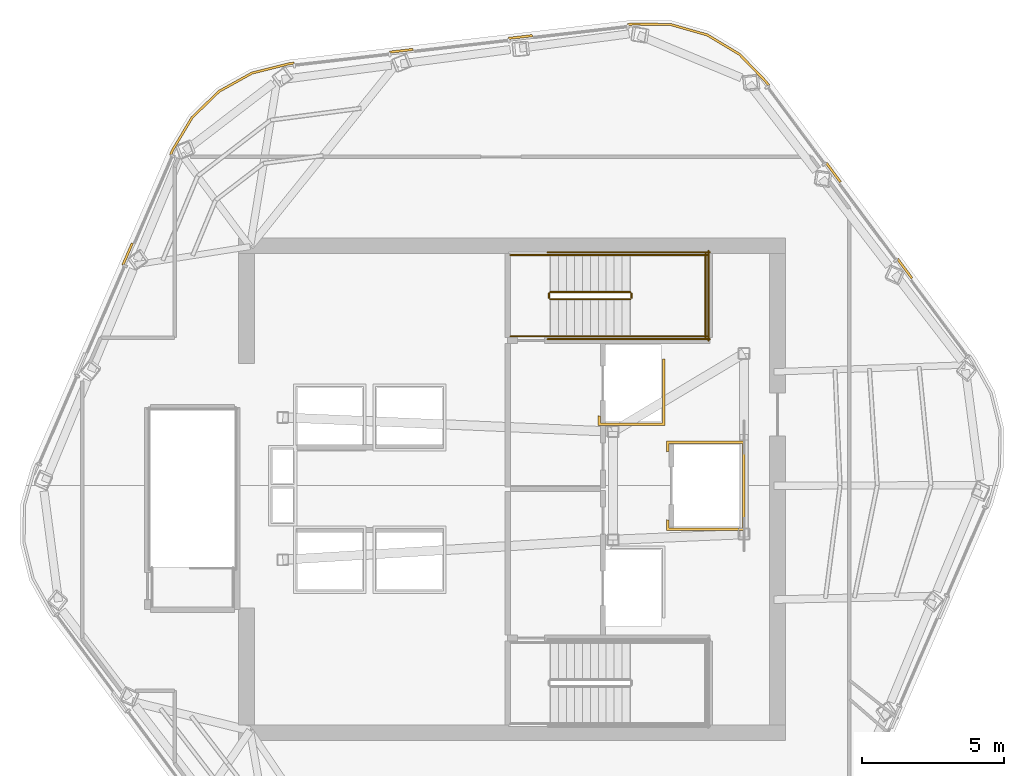
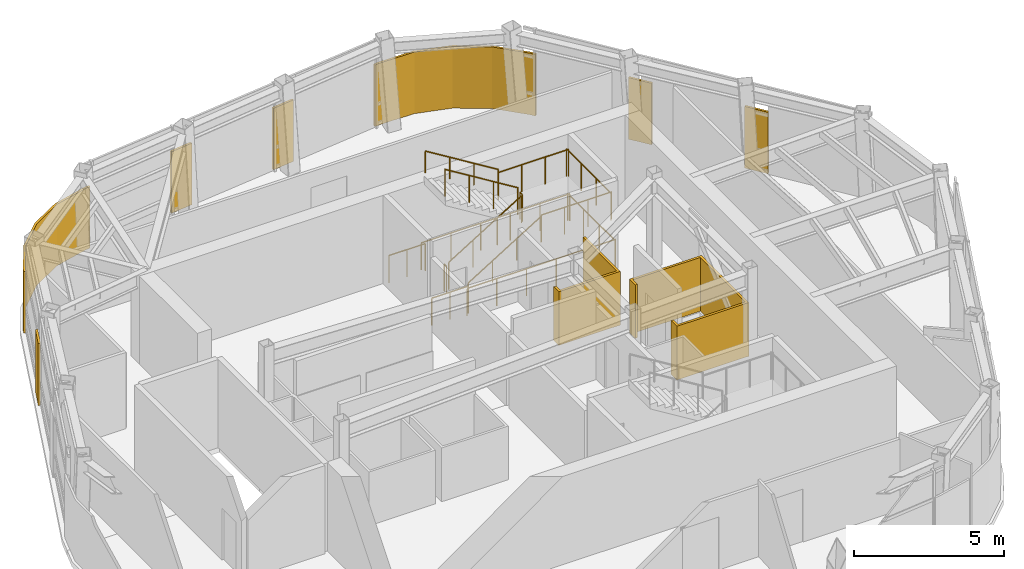
# One storey, part 10 of 11: 14 railings, 9 coverings.
"""IFC4 building model written with IfcOpenShell, lengths in metres."""

from ifc_helpers import new_model, si_unit, direction, frame, origin, origin_2d, place, context, subcontext, project, spatial, polyline, circle, outline, extrude, material, layer, layer_set, type_object, element, save


model = new_model("IFC4")

# Units and contexts
model_context = context("Model", 3, precision=1e-05, world=origin(), true_north=direction((0.0, 1.0)))
body_context = subcontext(model_context, "Body", "Model", "MODEL_VIEW")
ifc_project = project(units=[si_unit("LENGTHUNIT", "METRE"), si_unit("AREAUNIT", "SQUARE_METRE"), si_unit("VOLUMEUNIT", "CUBIC_METRE"), si_unit("PLANEANGLEUNIT", "RADIAN"), si_unit("MASSUNIT", "GRAM", prefix="KILO")], contexts=[model_context])

# Site, building, storey
site_placement = place(None, origin())
site = spatial("IfcSite", under=ifc_project, at=site_placement, CompositionType="ELEMENT")
building_placement = place(site_placement, origin())
building = spatial("IfcBuilding", under=site, at=building_placement, Name="Valkerne Bourse Tower", CompositionType="ELEMENT")
storey_placement = place(building_placement, frame((0.0, 0.0, 311.60009765625)))
storey = spatial("IfcBuildingStorey", under=building, at=storey_placement, Name="L79", CompositionType="ELEMENT", Elevation=311.60009765625)

# Coverings
ifc_material_1 = material(Name="Bronze Anodised Aluminium AA 6063-T6", Category="aluminium")
ifc_layer_1 = layer(ifc_material_1, 0.06005859375)
ifc_layer_set_1 = layer_set([ifc_layer_1], Name="Bronze Anodised Aluminium AA 6063-T6")
covering_type_1 = type_object("IfcCoveringType", Name="COV-CRN-ALUM", PredefinedType="CLADDING", material=ifc_layer_set_1)
covering_1_placement = place(storey_placement, origin())
element("IfcCovering", 1, at=covering_1_placement, inside=storey, type_object=covering_type_1, Name="L79 Wind-Shaped Corner Aluminium Cladding 12", PredefinedType="CLADDING", context=body_context, shape_type="SweptSolid", body=[
    extrude(outline(polyline([(33.4296875, 35.5380859375), (33.503173828125, 35.506591796875), (33.16943359375, 34.735595703125), (33.095947265625, 34.767333984375), (33.4296875, 35.5380859375)])), origin(), (0.0, 0.0, 1.0), 2.5),
])
covering_2_placement = place(storey_placement, origin())
element("IfcCovering", 2, at=covering_2_placement, inside=storey, type_object=covering_type_1, Name="L79 Wind-Shaped Corner Aluminium Cladding 13", PredefinedType="CLADDING", context=body_context, shape_type="SweptSolid", body=[
    extrude(outline(polyline([(34.845703125, 38.810302734375), (35.532470703125, 39.958251953125), (36.48828125, 40.884521484375), (37.651611328125, 41.53173828125), (38.948974609375, 41.857666015625), (39.14111328125, 41.8798828125), (39.150146484375, 41.800537109375), (38.96337890625, 41.77880859375), (37.681396484375, 41.456787109375), (36.53662109375, 40.819580078125), (35.595703125, 39.907958984375), (34.9169921875, 38.773681640625), (34.84228515625, 38.601318359375), (34.768798828125, 38.6328125), (34.845703125, 38.810302734375)])), origin(), (0.0, 0.0, 1.0), 2.5),
])
covering_3_placement = place(storey_placement, origin())
element("IfcCovering", 3, at=covering_3_placement, inside=storey, type_object=covering_type_1, Name="L79 Wind-Shaped Corner Aluminium Cladding 14", PredefinedType="CLADDING", context=body_context, shape_type="SweptSolid", body=[
    extrude(outline(polyline([(43.3251953125, 42.364013671875), (43.334228515625, 42.28466796875), (42.5, 42.18798828125), (42.49072265625, 42.267578125), (43.3251953125, 42.364013671875)])), origin(), (0.0, 0.0, 1.0), 2.5),
])
covering_4_placement = place(storey_placement, origin())
element("IfcCovering", 4, at=covering_4_placement, inside=storey, type_object=covering_type_1, Name="L79 Wind-Shaped Corner Aluminium Cladding 15", PredefinedType="CLADDING", context=body_context, shape_type="SweptSolid", body=[
    extrude(outline(polyline([(47.509033203125, 42.84814453125), (47.518310546875, 42.768798828125), (46.683837890625, 42.672119140625), (46.6748046875, 42.751708984375), (47.509033203125, 42.84814453125)])), origin(), (0.0, 0.0, 1.0), 2.5),
])
covering_5_placement = place(storey_placement, origin())
element("IfcCovering", 5, at=covering_5_placement, inside=storey, type_object=covering_type_1, Name="L79 Wind-Shaped Corner Aluminium Cladding 16", PredefinedType="CLADDING", context=body_context, shape_type="SweptSolid", body=[
    extrude(outline(polyline([(51.05078125, 43.258056640625), (52.388427734375, 43.23681640625), (53.66845703125, 42.872314453125), (54.810791015625, 42.188720703125), (55.74169921875, 41.22802734375), (55.85693359375, 41.072998046875), (55.792724609375, 41.025146484375), (55.6806640625, 41.176025390625), (54.760498046875, 42.12548828125), (53.636474609375, 42.79833984375), (52.376708984375, 43.156982421875), (51.0546875, 43.177978515625), (50.867919921875, 43.15625), (50.85888671875, 43.23583984375), (51.05078125, 43.258056640625)])), origin(), (0.0, 0.0, 1.0), 2.5),
])
covering_6_placement = place(storey_placement, origin())
element("IfcCovering", 6, at=covering_6_placement, inside=storey, type_object=covering_type_1, Name="L79 Wind-Shaped Corner Aluminium Cladding 17", PredefinedType="CLADDING", context=body_context, shape_type="SweptSolid", body=[
    extrude(outline(polyline([(58.368408203125, 37.69140625), (58.303955078125, 37.643798828125), (57.80322265625, 38.318115234375), (57.867431640625, 38.36572265625), (58.368408203125, 37.69140625)])), origin(), (0.0, 0.0, 1.0), 2.5),
])
covering_7_placement = place(storey_placement, origin())
element("IfcCovering", 7, at=covering_7_placement, inside=storey, type_object=covering_type_1, Name="L79 Wind-Shaped Corner Aluminium Cladding 18", PredefinedType="CLADDING", context=body_context, shape_type="SweptSolid", body=[
    extrude(outline(polyline([(60.879638671875, 34.309814453125), (60.8154296875, 34.26220703125), (60.314453125, 34.9365234375), (60.378662109375, 34.984375), (60.879638671875, 34.309814453125)])), origin(), (0.0, 0.0, 1.0), 2.5),
])
ifc_material_2 = material(Name="Gypsum Shaftwall Liner Board", Category="gypsum")
ifc_layer_2 = layer(ifc_material_2, 0.080078125)
ifc_layer_set_2 = layer_set([ifc_layer_2], Name="Gypsum Shaftwall Liner Board")
covering_type_2 = type_object("IfcCoveringType", Name="COV-SHF-CLAD", PredefinedType="CLADDING", material=ifc_layer_set_2)
covering_8_placement = place(storey_placement, origin())
element("IfcCovering", 8, at=covering_8_placement, inside=storey, type_object=covering_type_2, Name="L79 Hoistway & Riser Shaftwall Liner 06", PredefinedType="CLADDING", context=body_context, shape_type="SweptSolid", body=[
    extrude(outline(polyline([(54.97998046875, 28.580078125), (54.97998046875, 25.419921875), (52.219970703125, 25.419921875), (52.219970703125, 25.81787109375), (52.227783203125, 25.814208984375), (52.269287109375, 25.79931640625), (52.31005859375, 25.789306640625), (52.31005859375, 25.510009765625), (54.889892578125, 25.510009765625), (54.889892578125, 28.489990234375), (52.31005859375, 28.489990234375), (52.31005859375, 28.210693359375), (52.269287109375, 28.20068359375), (52.227783203125, 28.185791015625), (52.219970703125, 28.18212890625), (52.219970703125, 28.580078125), (54.97998046875, 28.580078125)])), origin(), (0.0, 0.0, 1.0), 2.179931640625),
])
covering_9_placement = place(storey_placement, origin())
element("IfcCovering", 9, at=covering_9_placement, inside=storey, type_object=covering_type_2, Name="L79 Hoistway & Riser Shaftwall Liner 08", PredefinedType="CLADDING", context=body_context, shape_type="SweptSolid", body=[
    extrude(outline(polyline([(49.820068359375, 29.1201171875), (49.820068359375, 29.468017578125), (49.827880859375, 29.46435546875), (49.869384765625, 29.449462890625), (49.909912109375, 29.439208984375), (49.909912109375, 29.2099609375), (52.090087890625, 29.2099609375), (52.090087890625, 31.449951171875), (52.179931640625, 31.449951171875), (52.179931640625, 29.1201171875), (49.820068359375, 29.1201171875)])), origin(), (0.0, 0.0, 1.0), 2.179931640625),
])

# Railings
ifc_material_3 = material(Name="Galvanised Painted Steel", Category="steel")
railing_type_1 = type_object("IfcRailingType", Name="RLG-ST-GUARD-1120", PredefinedType="GUARDRAIL", material=ifc_material_3)
railing_1_placement = place(storey_placement, frame((48.14990234375, 33.550048828125, 0.172607421875)))
element("IfcRailing", 10, at=railing_1_placement, inside=storey, type_object=railing_type_1, Name="L79 ST-2 stair guard 1", PredefinedType="GUARDRAIL", context=body_context, shape_type="SweptSolid", body=[
    extrude(circle(Radius=0.02392578125, at=origin_2d()), frame((0.0, 0.0, 1.09619140625), z_axis=(0.851089632645, 0.0, 0.525020415988), x_axis=(0.0, 1.0, 0.0)), (0.0, 0.0, 1.0), 3.2900390625),
    extrude(circle(Radius=0.02099609375, at=origin_2d()), origin(), (0.0, 0.0, 1.0), 1.072021484375),
    extrude(circle(Radius=0.02099609375, at=origin_2d()), frame((0.933349609375, 0.0, 0.57568359375)), (0.0, 0.0, 1.0), 1.072021484375),
    extrude(circle(Radius=0.02099609375, at=origin_2d()), frame((1.86669921875, 0.0, 1.151611328125)), (0.0, 0.0, 1.0), 1.072021484375),
    extrude(circle(Radius=0.02099609375, at=origin_2d()), frame((2.800048828125, 0.0, 1.727294921875)), (0.0, 0.0, 1.0), 1.072021484375),
])
railing_2_placement = place(storey_placement, frame((51.0, 33.60009765625, 1.89990234375)))
element("IfcRailing", 11, at=railing_2_placement, inside=storey, type_object=railing_type_1, Name="L79 ST-2 stair guard 2", PredefinedType="GUARDRAIL", context=body_context, shape_type="SweptSolid", body=[
    extrude(circle(Radius=0.02392578125, at=origin_2d()), frame((0.0, 0.0, 1.09619140625), z_axis=(0.0, 1.0, 0.0), x_axis=(-1.0, 0.0, 0.0)), (0.0, 0.0, 1.0), 0.14990234375),
    extrude(circle(Radius=0.02099609375, at=origin_2d()), origin(), (0.0, 0.0, 1.0), 1.072021484375),
    extrude(circle(Radius=0.02099609375, at=origin_2d()), frame((0.0, 0.14990234375, 0.0)), (0.0, 0.0, 1.0), 1.072021484375),
])
for number, where, name in (
    (12, (50.949951171875, 32.25, 1.89990234375), "L79 ST-2 stair guard 3"),
    (13, (50.949951171875, 35.10009765625, 1.89990234375), "L79 ST-2 stair guard 4"),
):
    element("IfcRailing", number, at=place(storey_placement, frame(where)), inside=storey, type_object=railing_type_1, Name=name, PredefinedType="GUARDRAIL", context=body_context, shape_type="SweptSolid", body=[
        extrude(circle(Radius=0.02392578125, at=origin_2d()), frame((0.0, 0.0, 1.09619140625), z_axis=(1.0, 0.0, 0.0), x_axis=(0.0, 1.0, 0.0)), (0.0, 0.0, 1.0), 2.699951171875),
        extrude(circle(Radius=0.02099609375, at=origin_2d()), origin(), (0.0, 0.0, 1.0), 1.072021484375),
        extrude(circle(Radius=0.02099609375, at=origin_2d()), frame((0.89990234375, 0.0, 0.0)), (0.0, 0.0, 1.0), 1.072021484375),
        extrude(circle(Radius=0.02099609375, at=origin_2d()), frame((1.800048828125, 0.0, 0.0)), (0.0, 0.0, 1.0), 1.072021484375),
        extrude(circle(Radius=0.02099609375, at=origin_2d()), frame((2.699951171875, 0.0, 0.0)), (0.0, 0.0, 1.0), 1.072021484375),
    ])
railing_3_placement = place(storey_placement, frame((53.60009765625, 32.199951171875, 1.89990234375)))
element("IfcRailing", 14, at=railing_3_placement, inside=storey, type_object=railing_type_1, Name="L79 ST-2 stair guard 5", PredefinedType="GUARDRAIL", context=body_context, shape_type="SweptSolid", body=[
    extrude(circle(Radius=0.02392578125, at=origin_2d()), frame((0.0, 0.0, 1.09619140625), z_axis=(0.0, 1.0, 0.0), x_axis=(-1.0, 0.0, 0.0)), (0.0, 0.0, 1.0), 2.949951171875),
    extrude(circle(Radius=0.02099609375, at=origin_2d()), origin(), (0.0, 0.0, 1.0), 1.072021484375),
    extrude(circle(Radius=0.02099609375, at=origin_2d()), frame((0.0, 0.9833984375, 0.0)), (0.0, 0.0, 1.0), 1.072021484375),
    extrude(circle(Radius=0.02099609375, at=origin_2d()), frame((0.0, 1.966552734375, 0.0)), (0.0, 0.0, 1.0), 1.072021484375),
    extrude(circle(Radius=0.02099609375, at=origin_2d()), frame((0.0, 2.949951171875, 0.0)), (0.0, 0.0, 1.0), 1.072021484375),
])
railing_4_placement = place(storey_placement, frame((50.949951171875, 33.800048828125, 2.072509765625)))
element("IfcRailing", 15, at=railing_4_placement, inside=storey, type_object=railing_type_1, Name="L79 ST-2 stair guard 6", PredefinedType="GUARDRAIL", context=body_context, shape_type="SweptSolid", body=[
    extrude(circle(Radius=0.02392578125, at=origin_2d()), frame((0.0, 0.0, 1.09619140625), z_axis=(-0.851089632645, 0.0, 0.525020415988), x_axis=(0.0, -1.0, 0.0)), (0.0, 0.0, 1.0), 3.2900390625),
    extrude(circle(Radius=0.02099609375, at=origin_2d()), origin(), (0.0, 0.0, 1.0), 1.072021484375),
    extrude(circle(Radius=0.02099609375, at=origin_2d()), frame((-0.933349609375, 0.0, 0.57568359375)), (0.0, 0.0, 1.0), 1.072021484375),
    extrude(circle(Radius=0.02099609375, at=origin_2d()), frame((-1.86669921875, 0.0, 1.151611328125)), (0.0, 0.0, 1.0), 1.072021484375),
    extrude(circle(Radius=0.02099609375, at=origin_2d()), frame((-2.800048828125, 0.0, 1.727294921875)), (0.0, 0.0, 1.0), 1.072021484375),
])
railing_5_placement = place(storey_placement, frame((48.10009765625, 33.60009765625, 0.0)))
element("IfcRailing", 16, at=railing_5_placement, inside=storey, type_object=railing_type_1, Name="L79 ST-2 stair guard 7", PredefinedType="GUARDRAIL", context=body_context, shape_type="SweptSolid", body=[
    extrude(circle(Radius=0.02392578125, at=origin_2d()), frame((0.0, 0.0, 1.09619140625), z_axis=(0.0, 1.0, 0.0), x_axis=(-1.0, 0.0, 0.0)), (0.0, 0.0, 1.0), 0.14990234375),
    extrude(circle(Radius=0.02099609375, at=origin_2d()), origin(), (0.0, 0.0, 1.0), 1.072021484375),
    extrude(circle(Radius=0.02099609375, at=origin_2d()), frame((0.0, 0.14990234375, 0.0)), (0.0, 0.0, 1.0), 1.072021484375),
])
for number, where, name in (
    (17, (46.75, 32.25, 0.0), "L79 ST-2 stair guard 8"),
    (18, (46.75, 35.10009765625, 0.0), "L79 ST-2 stair guard 9"),
):
    element("IfcRailing", number, at=place(storey_placement, frame(where)), inside=storey, type_object=railing_type_1, Name=name, PredefinedType="GUARDRAIL", context=body_context, shape_type="SweptSolid", body=[
        extrude(circle(Radius=0.02392578125, at=origin_2d()), frame((0.0, 0.0, 1.09619140625), z_axis=(1.0, 0.0, 0.0), x_axis=(0.0, 1.0, 0.0)), (0.0, 0.0, 1.0), 1.39990234375),
        extrude(circle(Radius=0.02099609375, at=origin_2d()), origin(), (0.0, 0.0, 1.0), 1.072021484375),
        extrude(circle(Radius=0.02099609375, at=origin_2d()), frame((0.699951171875, 0.0, 0.0)), (0.0, 0.0, 1.0), 1.072021484375),
        extrude(circle(Radius=0.02099609375, at=origin_2d()), frame((1.39990234375, 0.0, 0.0)), (0.0, 0.0, 1.0), 1.072021484375),
    ])
for number, where, name in (
    (19, (48.050048828125, 32.14990234375, 0.0), "L79 ST-2 stair guard 10"),
    (20, (48.050048828125, 35.199951171875, 0.0), "L79 ST-2 stair guard 11"),
):
    element("IfcRailing", number, at=place(storey_placement, frame(where)), inside=storey, type_object=railing_type_1, Name=name, PredefinedType="GUARDRAIL", context=body_context, shape_type="SweptSolid", body=[
        extrude(circle(Radius=0.02392578125, at=origin_2d()), frame((0.0, 0.0, 1.09619140625), z_axis=(1.0, 0.0, 0.0), x_axis=(0.0, 1.0, 0.0)), (0.0, 0.0, 1.0), 5.699951171875),
        extrude(circle(Radius=0.02099609375, at=origin_2d()), origin(), (0.0, 0.0, 1.0), 1.072021484375),
        extrude(circle(Radius=0.02099609375, at=origin_2d()), frame((1.139892578125, 0.0, 0.0)), (0.0, 0.0, 1.0), 1.072021484375),
        extrude(circle(Radius=0.02099609375, at=origin_2d()), frame((2.280029296875, 0.0, 0.0)), (0.0, 0.0, 1.0), 1.072021484375),
        extrude(circle(Radius=0.02099609375, at=origin_2d()), frame((3.419921875, 0.0, 0.0)), (0.0, 0.0, 1.0), 1.072021484375),
        extrude(circle(Radius=0.02099609375, at=origin_2d()), frame((4.56005859375, 0.0, 0.0)), (0.0, 0.0, 1.0), 1.072021484375),
        extrude(circle(Radius=0.02099609375, at=origin_2d()), frame((5.699951171875, 0.0, 0.0)), (0.0, 0.0, 1.0), 1.072021484375),
    ])
railing_6_placement = place(storey_placement, frame((53.699951171875, 32.10009765625, 0.0)))
element("IfcRailing", 21, at=railing_6_placement, inside=storey, type_object=railing_type_1, Name="L79 ST-2 stair guard 12", PredefinedType="GUARDRAIL", context=body_context, shape_type="SweptSolid", body=[
    extrude(circle(Radius=0.02392578125, at=origin_2d()), frame((0.0, 0.0, 1.09619140625), z_axis=(0.0, 1.0, 0.0), x_axis=(-1.0, 0.0, 0.0)), (0.0, 0.0, 1.0), 3.14990234375),
    extrude(circle(Radius=0.02099609375, at=origin_2d()), origin(), (0.0, 0.0, 1.0), 1.072021484375),
    extrude(circle(Radius=0.02099609375, at=origin_2d()), frame((0.0, 1.050048828125, 0.0)), (0.0, 0.0, 1.0), 1.072021484375),
    extrude(circle(Radius=0.02099609375, at=origin_2d()), frame((0.0, 2.099853515625, 0.0)), (0.0, 0.0, 1.0), 1.072021484375),
    extrude(circle(Radius=0.02099609375, at=origin_2d()), frame((0.0, 3.14990234375, 0.0)), (0.0, 0.0, 1.0), 1.072021484375),
])
ifc_material_4 = material(Name="Stainless Steel AISI 316", Category="steel")
railing_type_2 = type_object("IfcRailingType", Name="RLG-ST-HANDRAIL-900", PredefinedType="HANDRAIL", material=ifc_material_4)
railing_7_placement = place(storey_placement, frame((48.14990234375, 32.25, 0.345458984375)))
element("IfcRailing", 22, at=railing_7_placement, inside=storey, type_object=railing_type_2, Name="L79 ST-2 stair handrail 1", PredefinedType="HANDRAIL", context=body_context, shape_type="SweptSolid", body=[
    extrude(circle(Radius=0.02392578125, at=origin_2d()), frame((0.0, 0.0, 0.8759765625), z_axis=(0.851122791225, 0.0, 0.524966660138), x_axis=(0.0, 1.0, 0.0)), (0.0, 0.0, 1.0), 3.289794921875),
    extrude(circle(Radius=0.02099609375, at=origin_2d()), origin(), (0.0, 0.0, 1.0), 0.851806640625),
    extrude(circle(Radius=0.02099609375, at=origin_2d()), frame((0.933349609375, 0.0, 0.57568359375)), (0.0, 0.0, 1.0), 0.851806640625),
    extrude(circle(Radius=0.02099609375, at=origin_2d()), frame((1.86669921875, 0.0, 1.1513671875)), (0.0, 0.0, 1.0), 0.851806640625),
    extrude(circle(Radius=0.02099609375, at=origin_2d()), frame((2.800048828125, 0.0, 1.72705078125)), (0.0, 0.0, 1.0), 0.851806640625),
])
railing_8_placement = place(storey_placement, frame((50.949951171875, 35.10009765625, 2.245361328125)))
element("IfcRailing", 23, at=railing_8_placement, inside=storey, type_object=railing_type_2, Name="L79 ST-2 stair handrail 2", PredefinedType="HANDRAIL", context=body_context, shape_type="SweptSolid", body=[
    extrude(circle(Radius=0.02392578125, at=origin_2d()), frame((0.0, 0.0, 0.8759765625), z_axis=(-0.851089632645, 0.0, 0.525020415988), x_axis=(0.0, -1.0, 0.0)), (0.0, 0.0, 1.0), 3.2900390625),
    extrude(circle(Radius=0.02099609375, at=origin_2d()), origin(), (0.0, 0.0, 1.0), 0.851806640625),
    extrude(circle(Radius=0.02099609375, at=origin_2d()), frame((-0.933349609375, 0.0, 0.57568359375)), (0.0, 0.0, 1.0), 0.851806640625),
    extrude(circle(Radius=0.02099609375, at=origin_2d()), frame((-1.86669921875, 0.0, 1.151611328125)), (0.0, 0.0, 1.0), 0.851806640625),
    extrude(circle(Radius=0.02099609375, at=origin_2d()), frame((-2.800048828125, 0.0, 1.727294921875)), (0.0, 0.0, 1.0), 0.851806640625),
])

save(model, "model.ifc")
